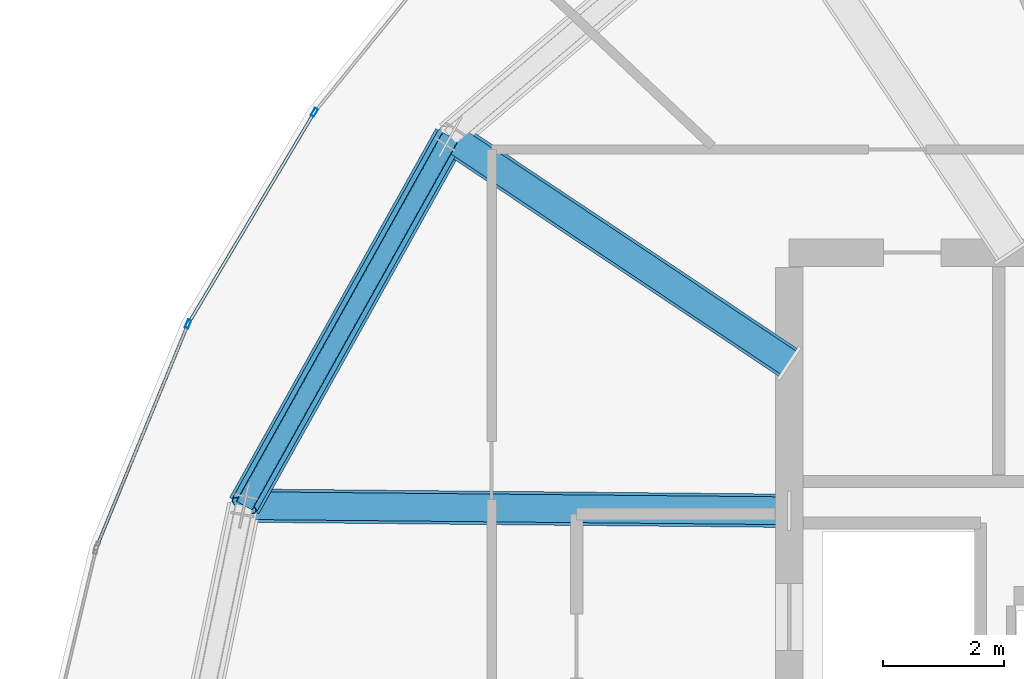
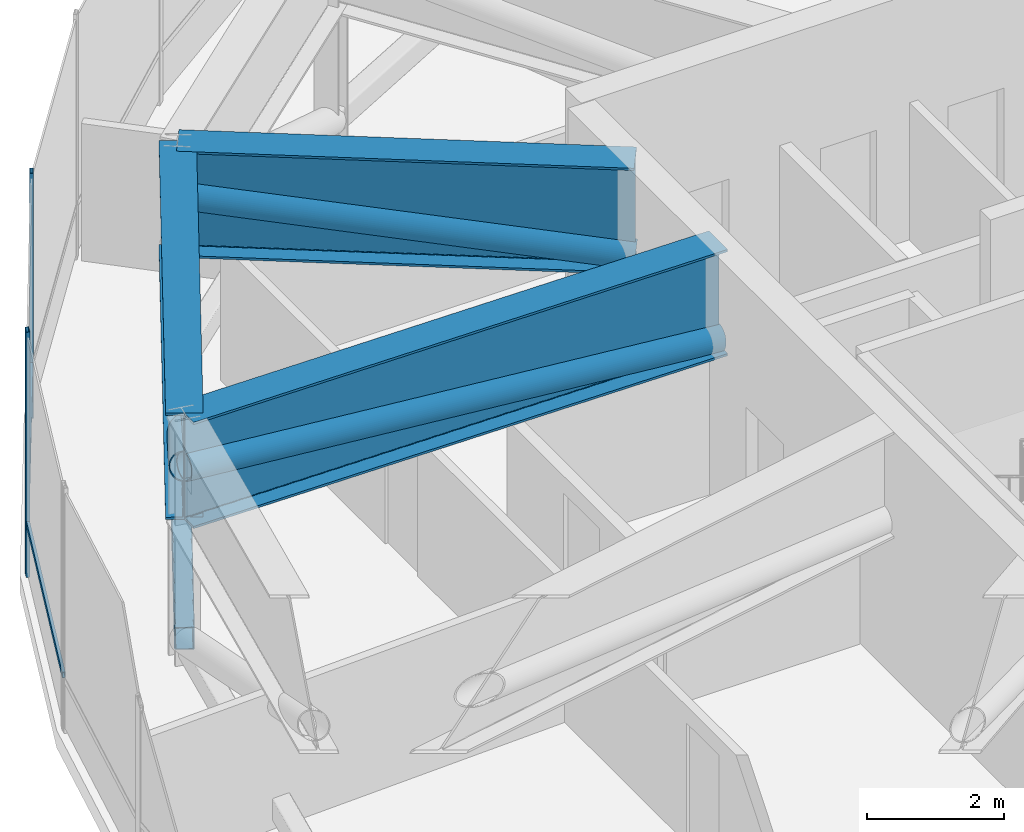
# One storey, part 9 of 26: 8 members, 3 beams, 1 element without a shape of its own.
"""IFC4 building model written with IfcOpenShell, lengths in metres."""

from ifc_helpers import new_model, si_unit, direction, frame, origin, origin_2d, place, context, subcontext, project, spatial, hollow_rectangle, hollow_circle, i_section, extrude, source, transform, mapped, material, layer, layer_set, material_profile, profile_set, type_object, element, aggregate, save


model = new_model("IFC4")

# Units and contexts
model_context = context("Model", 3, precision=1e-05, world=origin(), true_north=direction((0.0, 1.0)))
body_context = subcontext(model_context, "Body", "Model", "MODEL_VIEW")
ifc_project = project(units=[si_unit("LENGTHUNIT", "METRE"), si_unit("AREAUNIT", "SQUARE_METRE"), si_unit("VOLUMEUNIT", "CUBIC_METRE"), si_unit("PLANEANGLEUNIT", "RADIAN"), si_unit("MASSUNIT", "GRAM", prefix="KILO"), si_unit("THERMODYNAMICTEMPERATUREUNIT", "KELVIN")], contexts=[model_context])

# Site, building, storey
site_placement = place(None, origin())
site = spatial("IfcSite", under=ifc_project, at=site_placement, CompositionType="ELEMENT")
building_placement = place(site_placement, origin())
building = spatial("IfcBuilding", under=site, at=building_placement, Name="Kethvar Cultural Tower", CompositionType="ELEMENT")
storey_placement = place(building_placement, frame((0.0, 0.0, 223.60009765625)))
storey = spatial("IfcBuildingStorey", under=building, at=storey_placement, Name="L58", CompositionType="ELEMENT", Elevation=223.60009765625)

# Beam
ifc_material_1 = material(Name="Steel S460M", Category="steel")
ifc_material_profile_1 = material_profile(ifc_material_1, i_section(OverallWidth=0.550048828125, OverallDepth=1.89990234375, WebThickness=0.02490234375, FlangeThickness=0.0400390625, FilletRadius=0.02001953125, at=origin_2d()), Name="Steel S460M — PG1900x550x40x25")
ifc_profile_set_1 = profile_set([ifc_material_profile_1], Name="Steel S460M — PG1900x550x40x25")
beam_type = type_object("IfcBeamType", Name="BM-TR1900", PredefinedType="BEAM", material=ifc_profile_set_1)
shared_shape_1 = source(origin(), body_context, "Body", "SweptSolid", [
    extrude(i_section(OverallWidth=0.550048828125, OverallDepth=1.89990234375, WebThickness=0.02490234375, FlangeThickness=0.0400390625, FilletRadius=0.02001953125, at=origin_2d()), origin(), (0.0, 0.0, 1.0), 6.713134765625),
])
beam_1_placement = place(storey_placement, frame((38.0, 33.679931640625, 3.427978515625), z_axis=(-0.831479157792, 0.55555594692, 0.0), x_axis=(-0.55555594692, -0.831479157792, 0.0)))
element("IfcBeam", 1, at=beam_1_placement, inside=storey, type_object=beam_type, Name="L58 Outrigger Transfer Girder OG-07", PredefinedType="BEAM", context=body_context, shape_type="MappedRepresentation", body=[
    mapped(shared_shape_1, transform((0.0, 0.0, 0.0), scale=1.0)),
])

# Member
ifc_material_2 = material(Name="Steel S355J2", Category="steel")
ifc_material_profile_2 = material_profile(ifc_material_2, hollow_circle(Radius=0.228515625, WallThickness=0.01611328125, at=origin_2d()), Name="Steel S355J2 — CHS457x16")
ifc_profile_set_2 = profile_set([ifc_material_profile_2], Name="Steel S355J2 — CHS457x16")
member_type_1 = type_object("IfcMemberType", Name="MB-OUT-457", PredefinedType="BRACE", material=ifc_profile_set_2)
shared_shape_2 = source(origin(), body_context, "Body", "SweptSolid", [
    extrude(hollow_circle(Radius=0.228515625, WallThickness=0.01611328125, at=origin_2d()), origin(), (0.0, 0.0, 1.0), 6.758056640625),
])
member_1_placement = place(storey_placement, frame((38.0, 33.679931640625, 2.64990234375), z_axis=(-0.825949823716, 0.551861501425, 0.115133713344), x_axis=(-0.55555594692, -0.831479157792, 0.0)))
element("IfcMember", 2, at=member_1_placement, inside=storey, type_object=member_type_1, Name="L58 Outrigger Truss Diagonal OB-07", PredefinedType="BRACE", context=body_context, shape_type="MappedRepresentation", body=[
    mapped(shared_shape_2, transform((0.0, 0.0, 0.0), scale=1.0)),
])

# Beam
shared_shape_3 = source(origin(), body_context, "Body", "SweptSolid", [
    extrude(i_section(OverallWidth=0.550048828125, OverallDepth=1.89990234375, WebThickness=0.02490234375, FlangeThickness=0.0400390625, FilletRadius=0.02001953125, at=origin_2d()), origin(), (0.0, 0.0, 1.0), 6.957275390625),
])
beam_2_placement = place(storey_placement, frame((32.418212890625, 37.409423828125, 3.427978515625), z_axis=(-0.487730122968, -0.872994459976, 0.0), x_axis=(0.872994459976, -0.487730122968, 0.0)))
element("IfcBeam", 3, at=beam_2_placement, inside=storey, type_object=beam_type, Name="L58 Ring Belt Girder BG-07", PredefinedType="BEAM", context=body_context, shape_type="MappedRepresentation", body=[
    mapped(shared_shape_3, transform((0.0, 0.0, 0.0), scale=1.0)),
])

# Members
ifc_material_profile_3 = material_profile(ifc_material_1, hollow_rectangle(XDim=0.300048828125, YDim=0.39990234375, WallThickness=0.01611328125, InnerFilletRadius=0.01611328125, OuterFilletRadius=0.031982421875, at=origin_2d()), Name="Steel S460M — RHS400x300x16")
ifc_profile_set_3 = profile_set([ifc_material_profile_3], Name="Steel S460M — RHS400x300x16")
member_type_2 = type_object("IfcMemberType", Name="MB-CHD-400", PredefinedType="CHORD", material=ifc_profile_set_3)
shared_shape_4 = source(origin(), body_context, "Body", "SweptSolid", [
    extrude(hollow_rectangle(XDim=0.300048828125, YDim=0.39990234375, WallThickness=0.01611328125, InnerFilletRadius=0.01611328125, OuterFilletRadius=0.031982421875, at=origin_2d()), origin(), (0.0, 0.0, 1.0), 6.957275390625),
])
member_2_placement = place(storey_placement, frame((32.418212890625, 37.409423828125, 0.349853515625), z_axis=(-0.487730122968, -0.872994459976, 0.0), x_axis=(0.872994459976, -0.487730122968, 0.0)))
element("IfcMember", 4, at=member_2_placement, inside=storey, type_object=member_type_2, Name="L58 Ring Belt Bottom Chord BC-07", PredefinedType="CHORD", context=body_context, shape_type="MappedRepresentation", body=[
    mapped(shared_shape_4, transform((0.0, 0.0, 0.0), scale=1.0)),
])
shared_shape_5 = source(origin(), body_context, "Body", "SweptSolid", [
    extrude(hollow_circle(Radius=0.228515625, WallThickness=0.01611328125, at=origin_2d()), origin(), (0.0, 0.0, 1.0), 7.60791015625),
])
member_3_placement = place(storey_placement, frame((32.418212890625, 37.409423828125, 0.349853515625), z_axis=(-0.446026643512, -0.798348862313, 0.40459773519), x_axis=(0.872994459976, -0.487730122968, 0.0)))
element("IfcMember", 5, at=member_3_placement, inside=storey, type_object=member_type_1, Name="L58 Ring Belt Diagonal BD-07", PredefinedType="BRACE", context=body_context, shape_type="MappedRepresentation", body=[
    mapped(shared_shape_5, transform((0.0, 0.0, 0.0), scale=1.0)),
])

# Beam
shared_shape_6 = source(origin(), body_context, "Body", "SweptSolid", [
    extrude(i_section(OverallWidth=0.550048828125, OverallDepth=1.89990234375, WebThickness=0.02490234375, FlangeThickness=0.0400390625, FilletRadius=0.02001953125, at=origin_2d()), origin(), (0.0, 0.0, 1.0), 8.9755859375),
])
beam_3_placement = place(storey_placement, frame((38.0, 31.25, 3.427978515625), z_axis=(-0.999954421893, 0.00954746755, 0.0), x_axis=(-0.00954746755, -0.999954421893, 0.0)))
element("IfcBeam", 6, at=beam_3_placement, inside=storey, type_object=beam_type, Name="L58 Outrigger Transfer Girder OG-08", PredefinedType="BEAM", context=body_context, shape_type="MappedRepresentation", body=[
    mapped(shared_shape_6, transform((0.0, 0.0, 0.0), scale=1.0)),
])

# Member
shared_shape_7 = source(origin(), body_context, "Body", "SweptSolid", [
    extrude(hollow_circle(Radius=0.228515625, WallThickness=0.01611328125, at=origin_2d()), origin(), (0.0, 0.0, 1.0), 9.00927734375),
])
member_4_placement = place(storey_placement, frame((38.0, 31.25, 2.64990234375), z_axis=(-0.996218161815, 0.009511794103, 0.086364922521), x_axis=(-0.00954746755, -0.999954421893, 0.0)))
element("IfcMember", 7, at=member_4_placement, inside=storey, type_object=member_type_1, Name="L58 Outrigger Truss Diagonal OB-08", PredefinedType="BRACE", context=body_context, shape_type="MappedRepresentation", body=[
    mapped(shared_shape_7, transform((0.0, 0.0, 0.0), scale=1.0)),
])

# Curtain wall, members
ifc_material_3 = material(Name="Aluminium 6063-T6", Category="aluminium")
ifc_layer = layer(ifc_material_3, 0.179931640625, Name="Aluminium 6063-T6", Category="aluminium")
ifc_layer_set = layer_set([ifc_layer], Name="Aluminium 6063-T6 (180 mm)")
curtain_wall_type = type_object("IfcCurtainWallType", Name="CW-SYS-04-Z34", PredefinedType="NOTDEFINED", material=ifc_layer_set)
curtain_wall_placement = place(storey_placement, origin())
curtain_wall = element("IfcCurtainWall", 8, at=curtain_wall_placement, inside=storey, type_object=curtain_wall_type, Name="L58 Curtain Wall Run 02", PredefinedType="NOTDEFINED")
ifc_material_profile_4 = material_profile(ifc_material_3, hollow_rectangle(XDim=0.050048828125, YDim=0.10009765625, WallThickness=0.00390625, at=origin_2d()), Name="Aluminium 6063-T6 — RHS100x50x4")
ifc_profile_set_4 = profile_set([ifc_material_profile_4], Name="Aluminium 6063-T6 — RHS100x50x4")
member_type_3 = type_object("IfcMemberType", Name="CW-SYS-04-Z34-TRN", PredefinedType="USERDEFINED", material=ifc_profile_set_4)
shared_shape_8 = source(origin(), body_context, "Body", "SweptSolid", [
    extrude(hollow_rectangle(XDim=0.050048828125, YDim=0.10009765625, WallThickness=0.00390625, at=origin_2d()), origin(), (0.0, 0.0, 1.0), 3.91015625),
])
member_5_placement = place(storey_placement, frame((28.083740234375, 34.28759765625, 0.949951171875), z_axis=(-0.379128765887, -0.925343924645, 0.0), x_axis=(0.925343924645, -0.379128765887, 0.0)))
member_5 = element("IfcMember", 9, at=member_5_placement, type_object=member_type_3, Name="CW-L58-R02 Transom 6", ObjectType="TRANSOM", PredefinedType="USERDEFINED", context=body_context, shape_type="MappedRepresentation", body=[
    mapped(shared_shape_8, transform((0.0, 0.0, 0.0), scale=1.0)),
])
ifc_material_profile_5 = material_profile(ifc_material_3, hollow_rectangle(XDim=0.06005859375, YDim=0.139892578125, WallThickness=0.0048828125, at=origin_2d()), Name="Aluminium 6063-T6 — RHS140x60x5")
ifc_profile_set_5 = profile_set([ifc_material_profile_5], Name="Aluminium 6063-T6 — RHS140x60x5")
member_type_4 = type_object("IfcMemberType", Name="CW-SYS-04-Z34-MUL", PredefinedType="MULLION", material=ifc_profile_set_5)
shared_shape_9 = source(origin(), body_context, "Body", "SweptSolid", [
    extrude(hollow_rectangle(XDim=0.06005859375, YDim=0.139892578125, WallThickness=0.0048828125, at=origin_2d()), origin(), (0.0, 0.0, 1.0), 4.3798828125),
])
member_6_placement = place(storey_placement, frame((30.17919921875, 37.8115234375, 0.0), z_axis=(0.0, 0.0, 1.0), x_axis=(0.858861575928, -0.512207763895, 0.0)))
member_6 = element("IfcMember", 10, at=member_6_placement, type_object=member_type_4, Name="CW-L58-R02 Mullion 5", PredefinedType="MULLION", context=body_context, shape_type="MappedRepresentation", body=[
    mapped(shared_shape_9, transform((0.0, 0.0, 0.0), scale=1.0)),
])
member_7_placement = place(storey_placement, frame((28.10009765625, 34.32763671875, 0.0), z_axis=(0.0, 0.0, 1.0), x_axis=(0.925342117203, -0.379133177301, 0.0)))
member_7 = element("IfcMember", 11, at=member_7_placement, type_object=member_type_4, Name="CW-L58-R02 Mullion 6", PredefinedType="MULLION", context=body_context, shape_type="MappedRepresentation", body=[
    mapped(shared_shape_9, transform((0.0, 0.0, 0.0), scale=1.0)),
])
shared_shape_10 = source(origin(), body_context, "Body", "SweptSolid", [
    extrude(hollow_rectangle(XDim=0.050048828125, YDim=0.10009765625, WallThickness=0.00390625, at=origin_2d()), origin(), (0.0, 0.0, 1.0), 3.98681640625),
])
member_8_placement = place(storey_placement, frame((30.156982421875, 37.7744140625, 0.949951171875), z_axis=(-0.512170534487, -0.858883777704, 0.0), x_axis=(0.858883777704, -0.512170534487, 0.0)))
member_8 = element("IfcMember", 12, at=member_8_placement, type_object=member_type_3, Name="CW-L58-R02 Transom 5", ObjectType="TRANSOM", PredefinedType="USERDEFINED", context=body_context, shape_type="MappedRepresentation", body=[
    mapped(shared_shape_10, transform((0.0, 0.0, 0.0), scale=1.0)),
])
aggregate(curtain_wall, [member_6, member_7, member_8, member_5])

save(model, "model.ifc")
